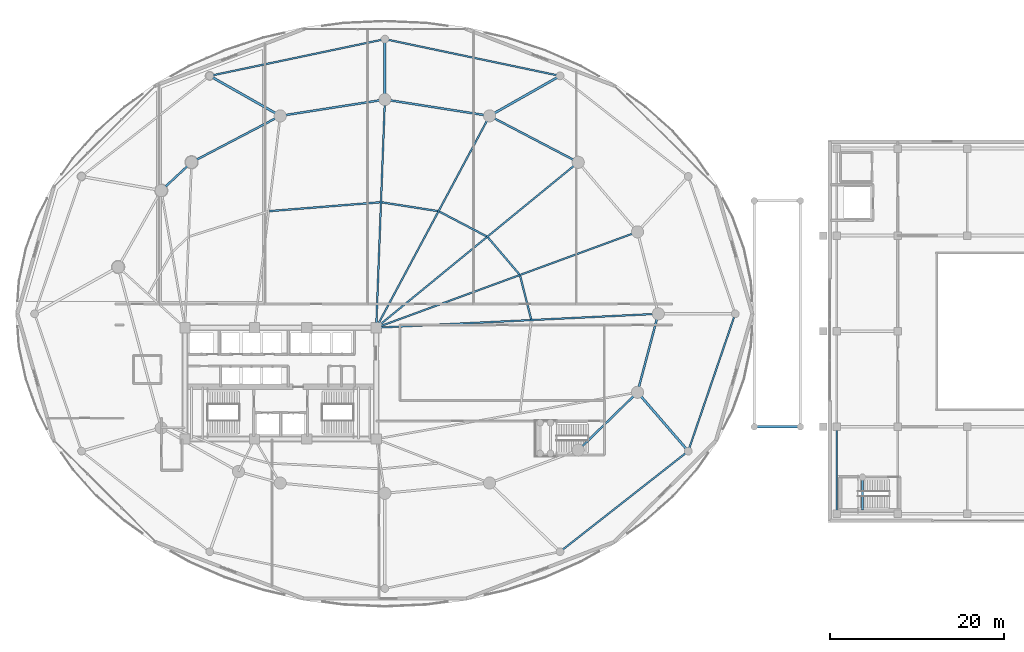
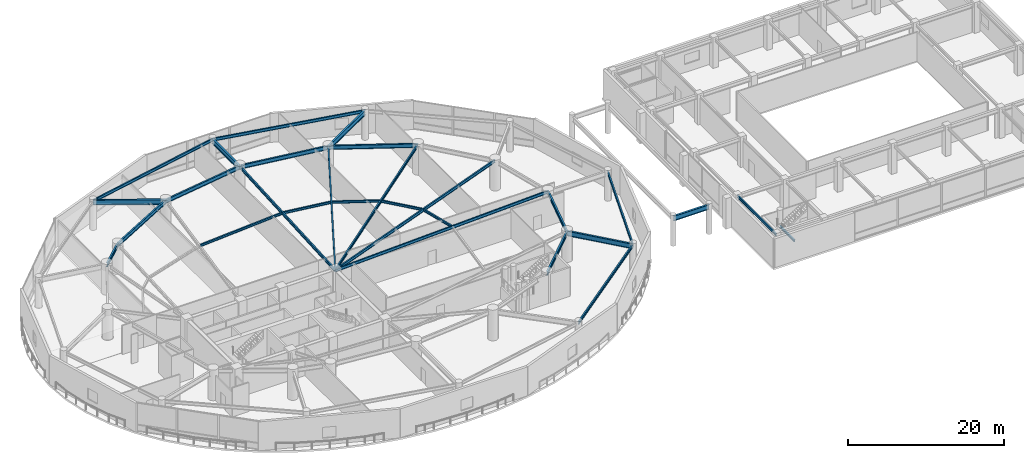
# One storey, part 10 of 40: 28 beams.
"""IFC4 building model written with IfcOpenShell, lengths in metres."""

from ifc_helpers import new_model, si_unit, direction, frame, origin, origin_2d, place, context, subcontext, project, spatial, i_section, extrude, material, material_profile, profile_set, type_object, element, save


model = new_model("IFC4")

# Units and contexts
model_context = context("Model", 3, precision=1e-05, world=origin(), true_north=direction((0.0, 1.0)))
body_context = subcontext(model_context, "Body", "Model", "MODEL_VIEW")
ifc_project = project(units=[si_unit("LENGTHUNIT", "METRE"), si_unit("AREAUNIT", "SQUARE_METRE"), si_unit("VOLUMEUNIT", "CUBIC_METRE"), si_unit("PLANEANGLEUNIT", "RADIAN"), si_unit("MASSUNIT", "GRAM", prefix="KILO")], contexts=[model_context])

# Site, building, storey
site_placement = place(None, origin())
site = spatial("IfcSite", under=ifc_project, at=site_placement, CompositionType="ELEMENT")
building_placement = place(site_placement, origin())
building = spatial("IfcBuilding", under=site, at=building_placement, Name="Kazevale Care Tower and Concert Hall", CompositionType="ELEMENT")
storey_placement = place(building_placement, frame((0.0, 0.0, 4.800048828125)))
storey = spatial("IfcBuildingStorey", under=building, at=storey_placement, Name="L01", CompositionType="ELEMENT", Elevation=4.800048828125)

# Beams
ifc_material = material(Name="Steel ASTM A572 Gr 50", Category="steel")
ifc_material_profile_1 = material_profile(ifc_material, i_section(OverallWidth=0.180908203125, OverallDepth=0.4169921875, WebThickness=0.010986328125, FlangeThickness=0.018310546875, at=origin_2d()), Name="W410x85")
ifc_profile_set_1 = profile_set([ifc_material_profile_1], Name="Steel ASTM A572 Gr 50")
beam_type_1 = type_object("IfcBeamType", Name="Concert Hall Secondary Beam W410x85", PredefinedType="BEAM", material=ifc_profile_set_1)
beam_1_placement = place(storey_placement, frame((97.0, 15.0, 4.3115234375), z_axis=(0.0, 1.0, 0.0), x_axis=(-1.0, 0.0, 0.0)))
element("IfcBeam", 1, at=beam_1_placement, inside=storey, type_object=beam_type_1, Name="beam:L01:hy:97_15", PredefinedType="BEAM", context=body_context, shape_type="SweptSolid", body=[
    extrude(i_section(OverallWidth=0.180908203125, OverallDepth=0.4169921875, WebThickness=0.010986328125, FlangeThickness=0.018310546875, at=origin_2d()), origin(), (0.0, 0.0, 1.0), 10.0),
])
ifc_material_profile_2 = material_profile(ifc_material, i_section(OverallWidth=0.194091796875, OverallDepth=0.468994140625, WebThickness=0.0126953125, FlangeThickness=0.0205078125, at=origin_2d()), Name="W460x106")
ifc_profile_set_2 = profile_set([ifc_material_profile_2], Name="Steel ASTM A572 Gr 50")
beam_type_2 = type_object("IfcBeamType", Name="Podium Floor Beam W460x106", PredefinedType="BEAM", material=ifc_profile_set_2)
for number, where, z_axis, x_axis, name in (
    (2, (65.14990234375, 65.3701171875, 4.285400390625), (-0.978668137727, 0.205447502293, 0.0), (-0.205447502293, -0.978668137727, 0.0), "beam:L01:podring:03"),
    (3, (45.0, 69.60009765625, 4.285400390625), (-0.978668137727, -0.205447502293, 0.0), (0.205447502293, -0.978668137727, 0.0), "beam:L01:podring:04"),
):
    element("IfcBeam", number, at=place(storey_placement, frame(where, z_axis=z_axis, x_axis=x_axis)), inside=storey, type_object=beam_type_2, Name=name, PredefinedType="BEAM", context=body_context, shape_type="SweptSolid", body=[
        extrude(i_section(OverallWidth=0.194091796875, OverallDepth=0.468994140625, WebThickness=0.0126953125, FlangeThickness=0.0205078125, at=origin_2d()), origin(), (0.0, 0.0, 1.0), 20.589111328125),
    ])
beam_2_placement = place(storey_placement, frame((65.14990234375, 10.6298828125, 4.285400390625), z_axis=(0.786816091325, 0.617187522907, 0.0), x_axis=(-0.617187522907, 0.786816091325, 0.0)))
element("IfcBeam", 4, at=beam_2_placement, inside=storey, type_object=beam_type_2, Name="beam:L01:podring:11", PredefinedType="BEAM", context=body_context, shape_type="SweptSolid", body=[
    extrude(i_section(OverallWidth=0.194091796875, OverallDepth=0.468994140625, WebThickness=0.0126953125, FlangeThickness=0.0205078125, at=origin_2d()), origin(), (0.0, 0.0, 1.0), 18.746337890625),
])
beam_3_placement = place(storey_placement, frame((79.89990234375, 22.199951171875, 4.285400390625), z_axis=(0.323412440773, 0.946258100707, 0.0), x_axis=(-0.946258100707, 0.323412440773, 0.0)))
element("IfcBeam", 5, at=beam_3_placement, inside=storey, type_object=beam_type_2, Name="beam:L01:podring:12", PredefinedType="BEAM", context=body_context, shape_type="SweptSolid", body=[
    extrude(i_section(OverallWidth=0.194091796875, OverallDepth=0.468994140625, WebThickness=0.0126953125, FlangeThickness=0.0205078125, at=origin_2d()), origin(), (0.0, 0.0, 1.0), 16.697509765625),
])
ifc_material_profile_3 = material_profile(ifc_material, i_section(OverallWidth=0.26806640625, OverallDepth=0.77001953125, WebThickness=0.015625, FlangeThickness=0.025390625, at=origin_2d()), Name="W760x196")
ifc_profile_set_3 = profile_set([ifc_material_profile_3], Name="Steel ASTM A572 Gr 50")
beam_type_3 = type_object("IfcBeamType", Name="Podium Primary Girder W760x196", PredefinedType="BEAM", material=ifc_profile_set_3)
beam_4_placement = place(storey_placement, frame((87.5, 25.0, 4.125), z_axis=(1.0, 0.0, 0.0), x_axis=(0.0, 1.0, 0.0)))
element("IfcBeam", 6, at=beam_4_placement, inside=storey, type_object=beam_type_3, Name="beam:L01:gbox:1", PredefinedType="BEAM", context=body_context, shape_type="SweptSolid", body=[
    extrude(i_section(OverallWidth=0.26806640625, OverallDepth=0.77001953125, WebThickness=0.015625, FlangeThickness=0.025390625, at=origin_2d()), origin(), (0.0, 0.0, 1.0), 5.300048828125),
])
beam_5_placement = place(storey_placement, frame((57.0400390625, 60.77001953125, 4.135009765625), z_axis=(0.869814698665, 0.493378546338, 0.0), x_axis=(-0.493378546338, 0.869814698665, 0.0)))
element("IfcBeam", 7, at=beam_5_placement, inside=storey, type_object=beam_type_3, Name="beam:L01:podrad:03", PredefinedType="BEAM", context=body_context, shape_type="SweptSolid", body=[
    extrude(i_section(OverallWidth=0.26806640625, OverallDepth=0.77001953125, WebThickness=0.015625, FlangeThickness=0.025390625, at=origin_2d()), origin(), (0.0, 0.0, 1.0), 9.32373046875),
])
beam_6_placement = place(storey_placement, frame((45.0, 62.64990234375, 4.135009765625), z_axis=(0.0, 1.0, 0.0), x_axis=(-1.0, 0.0, 0.0)))
element("IfcBeam", 8, at=beam_6_placement, inside=storey, type_object=beam_type_3, Name="beam:L01:podrad:04", PredefinedType="BEAM", context=body_context, shape_type="SweptSolid", body=[
    extrude(i_section(OverallWidth=0.26806640625, OverallDepth=0.77001953125, WebThickness=0.015625, FlangeThickness=0.025390625, at=origin_2d()), origin(), (0.0, 0.0, 1.0), 6.9501953125),
])
beam_7_placement = place(storey_placement, frame((32.9599609375, 60.77001953125, 4.135009765625), z_axis=(-0.869814698665, 0.493378546338, 0.0), x_axis=(-0.493378546338, -0.869814698665, 0.0)))
element("IfcBeam", 9, at=beam_7_placement, inside=storey, type_object=beam_type_3, Name="beam:L01:podrad:05", PredefinedType="BEAM", context=body_context, shape_type="SweptSolid", body=[
    extrude(i_section(OverallWidth=0.26806640625, OverallDepth=0.77001953125, WebThickness=0.015625, FlangeThickness=0.025390625, at=origin_2d()), origin(), (0.0, 0.0, 1.0), 9.32373046875),
])
beam_8_placement = place(storey_placement, frame((74.06005859375, 28.969970703125, 4.135009765625), z_axis=(0.653171864392, -0.757209690618, 0.0), x_axis=(0.757209690618, 0.653171864392, 0.0)))
element("IfcBeam", 10, at=beam_8_placement, inside=storey, type_object=beam_type_3, Name="beam:L01:podrad:12", PredefinedType="BEAM", context=body_context, shape_type="SweptSolid", body=[
    extrude(i_section(OverallWidth=0.26806640625, OverallDepth=0.77001953125, WebThickness=0.015625, FlangeThickness=0.025390625, at=origin_2d()), origin(), (0.0, 0.0, 1.0), 8.940673828125),
])
ifc_material_profile_4 = material_profile(ifc_material, i_section(OverallWidth=0.19091796875, OverallDepth=0.4599609375, WebThickness=0.010009765625, FlangeThickness=0.01611328125, at=origin_2d()), Name="W460x82")
ifc_profile_set_4 = profile_set([ifc_material_profile_4], Name="Steel ASTM A572 Gr 50")
beam_type_4 = type_object("IfcBeamType", Name="Radial Floor Beam W460x82", PredefinedType="BEAM", material=ifc_profile_set_4)
beam_9_placement = place(storey_placement, frame((44.0, 36.39990234375, 4.2900390625), z_axis=(0.998786488782, 0.049249871327, 0.0), x_axis=(-0.049249871327, 0.998786488782, 0.0)))
element("IfcBeam", 11, at=beam_9_placement, inside=storey, type_object=beam_type_4, Name="beam:L01:rad:01", PredefinedType="BEAM", context=body_context, shape_type="SweptSolid", body=[
    extrude(i_section(OverallWidth=0.19091796875, OverallDepth=0.4599609375, WebThickness=0.010009765625, FlangeThickness=0.01611328125, at=origin_2d()), origin(), (0.0, 0.0, 1.0), 32.4892578125),
])
beam_10_placement = place(storey_placement, frame((44.0, 36.39990234375, 4.2900390625), z_axis=(0.938795458019, 0.34447509054, 0.0), x_axis=(-0.34447509054, 0.938795458019, 0.0)))
element("IfcBeam", 12, at=beam_10_placement, inside=storey, type_object=beam_type_4, Name="beam:L01:rad:02", PredefinedType="BEAM", context=body_context, shape_type="SweptSolid", body=[
    extrude(i_section(OverallWidth=0.19091796875, OverallDepth=0.4599609375, WebThickness=0.010009765625, FlangeThickness=0.01611328125, at=origin_2d()), origin(), (0.0, 0.0, 1.0), 32.019775390625),
])
beam_11_placement = place(storey_placement, frame((44.0, 36.39990234375, 4.2900390625), z_axis=(0.773704467398, 0.633546681097, 0.0), x_axis=(-0.633546681097, 0.773704467398, 0.0)))
element("IfcBeam", 13, at=beam_11_placement, inside=storey, type_object=beam_type_4, Name="beam:L01:rad:03", PredefinedType="BEAM", context=body_context, shape_type="SweptSolid", body=[
    extrude(i_section(OverallWidth=0.19091796875, OverallDepth=0.4599609375, WebThickness=0.010009765625, FlangeThickness=0.01611328125, at=origin_2d()), origin(), (0.0, 0.0, 1.0), 30.037353515625),
])
beam_12_placement = place(storey_placement, frame((44.0, 36.39990234375, 4.2900390625), z_axis=(0.471788966953, 0.88171150081, 0.0), x_axis=(-0.88171150081, 0.471788966953, 0.0)))
element("IfcBeam", 14, at=beam_12_placement, inside=storey, type_object=beam_type_4, Name="beam:L01:rad:04", PredefinedType="BEAM", context=body_context, shape_type="SweptSolid", body=[
    extrude(i_section(OverallWidth=0.19091796875, OverallDepth=0.4599609375, WebThickness=0.010009765625, FlangeThickness=0.01611328125, at=origin_2d()), origin(), (0.0, 0.0, 1.0), 27.6396484375),
])
beam_13_placement = place(storey_placement, frame((44.0, 36.39990234375, 4.2900390625), z_axis=(0.038067625343, 0.999275165258, 0.0), x_axis=(-0.999275165258, 0.038067625343, 0.0)))
element("IfcBeam", 15, at=beam_13_placement, inside=storey, type_object=beam_type_4, Name="beam:L01:rad:05", PredefinedType="BEAM", context=body_context, shape_type="SweptSolid", body=[
    extrude(i_section(OverallWidth=0.19091796875, OverallDepth=0.4599609375, WebThickness=0.010009765625, FlangeThickness=0.01611328125, at=origin_2d()), origin(), (0.0, 0.0, 1.0), 26.26904296875),
])
ifc_material_profile_5 = material_profile(ifc_material, i_section(OverallWidth=0.22900390625, OverallDepth=0.612060546875, WebThickness=0.011962890625, FlangeThickness=0.01953125, at=origin_2d()), Name="W610x125")
ifc_profile_set_5 = profile_set([ifc_material_profile_5], Name="Steel ASTM A572 Gr 50")
beam_type_5 = type_object("IfcBeamType", Name="Ring Spandrel Beam W610x125", PredefinedType="SPANDREL", material=ifc_profile_set_5)
beam_14_placement = place(storey_placement, frame((67.239990234375, 55.429931640625, 4.2138671875), z_axis=(-0.885929466679, 0.463819986708, 0.0), x_axis=(-0.463819986708, -0.885929466679, 0.0)))
element("IfcBeam", 16, at=beam_14_placement, inside=storey, type_object=beam_type_5, Name="beam:L01:ring:03", PredefinedType="SPANDREL", context=body_context, shape_type="SweptSolid", body=[
    extrude(i_section(OverallWidth=0.22900390625, OverallDepth=0.612060546875, WebThickness=0.011962890625, FlangeThickness=0.01953125, at=origin_2d()), origin(), (0.0, 0.0, 1.0), 11.51318359375),
])
for number, where, z_axis, x_axis, name in (
    (17, (57.0400390625, 60.77001953125, 4.2138671875), (-0.988029216561, 0.154266870134, 0.0), (-0.154266870134, -0.988029216561, 0.0), "beam:L01:ring:04"),
    (18, (45.0, 62.64990234375, 4.2138671875), (-0.988029216561, -0.154266870134, 0.0), (0.154266870134, -0.988029216561, 0.0), "beam:L01:ring:05"),
):
    element("IfcBeam", number, at=place(storey_placement, frame(where, z_axis=z_axis, x_axis=x_axis)), inside=storey, type_object=beam_type_5, Name=name, PredefinedType="SPANDREL", context=body_context, shape_type="SweptSolid", body=[
        extrude(i_section(OverallWidth=0.22900390625, OverallDepth=0.612060546875, WebThickness=0.011962890625, FlangeThickness=0.01953125, at=origin_2d()), origin(), (0.0, 0.0, 1.0), 12.18603515625),
    ])
beam_15_placement = place(storey_placement, frame((32.9599609375, 60.77001953125, 4.2138671875), z_axis=(-0.885929466679, -0.463819986708, 0.0), x_axis=(0.463819986708, -0.885929466679, 0.0)))
element("IfcBeam", 19, at=beam_15_placement, inside=storey, type_object=beam_type_5, Name="beam:L01:ring:06", PredefinedType="SPANDREL", context=body_context, shape_type="SweptSolid", body=[
    extrude(i_section(OverallWidth=0.22900390625, OverallDepth=0.612060546875, WebThickness=0.011962890625, FlangeThickness=0.01953125, at=origin_2d()), origin(), (0.0, 0.0, 1.0), 11.51318359375),
])
beam_16_placement = place(storey_placement, frame((22.760009765625, 55.429931640625, 4.2138671875), z_axis=(-0.731820896228, -0.681497010884, 0.0), x_axis=(0.681497010884, -0.731820896228, 0.0)))
element("IfcBeam", 20, at=beam_16_placement, inside=storey, type_object=beam_type_5, Name="beam:L01:ring:07", PredefinedType="SPANDREL", context=body_context, shape_type="SweptSolid", body=[
    extrude(i_section(OverallWidth=0.22900390625, OverallDepth=0.612060546875, WebThickness=0.011962890625, FlangeThickness=0.01953125, at=origin_2d()), origin(), (0.0, 0.0, 1.0), 4.768798828125),
])
beam_17_placement = place(storey_placement, frame((67.239990234375, 22.31005859375, 4.2138671875), z_axis=(0.715457453508, 0.698656304788, 0.0), x_axis=(-0.698656304788, 0.715457453508, 0.0)))
element("IfcBeam", 21, at=beam_17_placement, inside=storey, type_object=beam_type_5, Name="beam:L01:ring:15", PredefinedType="SPANDREL", context=body_context, shape_type="SweptSolid", body=[
    extrude(i_section(OverallWidth=0.22900390625, OverallDepth=0.612060546875, WebThickness=0.011962890625, FlangeThickness=0.01953125, at=origin_2d()), origin(), (0.0, 0.0, 1.0), 9.532470703125),
])
beam_18_placement = place(storey_placement, frame((74.06005859375, 28.969970703125, 4.2138671875), z_axis=(0.255851611973, 0.966716066201, 0.0), x_axis=(-0.966716066201, 0.255851611973, 0.0)))
element("IfcBeam", 22, at=beam_18_placement, inside=storey, type_object=beam_type_5, Name="beam:L01:ring:16", PredefinedType="SPANDREL", context=body_context, shape_type="SweptSolid", body=[
    extrude(i_section(OverallWidth=0.22900390625, OverallDepth=0.612060546875, WebThickness=0.011962890625, FlangeThickness=0.01953125, at=origin_2d()), origin(), (0.0, 0.0, 1.0), 9.3408203125),
])
ifc_material_profile_6 = material_profile(ifc_material, i_section(OverallWidth=0.205078125, OverallDepth=0.35400390625, WebThickness=0.009521484375, FlangeThickness=0.016845703125, at=origin_2d()), Name="W360x79")
ifc_profile_set_6 = profile_set([ifc_material_profile_6], Name="Steel ASTM A572 Gr 50")
beam_type_6 = type_object("IfcBeamType", Name="Secondary Floor Joist W360x79", PredefinedType="JOIST", material=ifc_profile_set_6)
beam_19_placement = place(storey_placement, frame((61.822021484375, 37.382080078125, 4.343017578125), z_axis=(-0.24568570229, 0.969349542575, 0.0), x_axis=(-0.969349542575, -0.24568570229, 0.0)))
element("IfcBeam", 23, at=beam_19_placement, inside=storey, type_object=beam_type_6, Name="beam:L01:joist:01", PredefinedType="JOIST", context=body_context, shape_type="SweptSolid", body=[
    extrude(i_section(OverallWidth=0.205078125, OverallDepth=0.35400390625, WebThickness=0.009521484375, FlangeThickness=0.016845703125, at=origin_2d()), origin(), (0.0, 0.0, 1.0), 5.140380859375),
])
beam_20_placement = place(storey_placement, frame((60.465087890625, 42.5458984375, 4.343017578125), z_axis=(-0.648685510477, 0.761056573783, 0.0), x_axis=(-0.761056573783, -0.648685510477, 0.0)))
element("IfcBeam", 24, at=beam_20_placement, inside=storey, type_object=beam_type_6, Name="beam:L01:joist:02", PredefinedType="JOIST", context=body_context, shape_type="SweptSolid", body=[
    extrude(i_section(OverallWidth=0.205078125, OverallDepth=0.35400390625, WebThickness=0.009521484375, FlangeThickness=0.016845703125, at=origin_2d()), origin(), (0.0, 0.0, 1.0), 5.57275390625),
])
beam_21_placement = place(storey_placement, frame((56.68896484375, 46.9150390625, 4.343017578125), z_axis=(-0.885921274797, 0.463835633454, 0.0), x_axis=(-0.463835633454, -0.885921274797, 0.0)))
element("IfcBeam", 25, at=beam_21_placement, inside=storey, type_object=beam_type_6, Name="beam:L01:joist:03", PredefinedType="JOIST", context=body_context, shape_type="SweptSolid", body=[
    extrude(i_section(OverallWidth=0.205078125, OverallDepth=0.35400390625, WebThickness=0.009521484375, FlangeThickness=0.016845703125, at=origin_2d()), origin(), (0.0, 0.0, 1.0), 6.12255859375),
])
beam_22_placement = place(storey_placement, frame((51.068115234375, 49.820068359375, 4.343017578125), z_axis=(-0.988040697826, 0.154193318403, 0.0), x_axis=(-0.154193318403, -0.988040697826, 0.0)))
element("IfcBeam", 26, at=beam_22_placement, inside=storey, type_object=beam_type_6, Name="beam:L01:joist:04", PredefinedType="JOIST", context=body_context, shape_type="SweptSolid", body=[
    extrude(i_section(OverallWidth=0.205078125, OverallDepth=0.35400390625, WebThickness=0.009521484375, FlangeThickness=0.016845703125, at=origin_2d()), origin(), (0.0, 0.0, 1.0), 6.49169921875),
])
beam_23_placement = place(storey_placement, frame((44.445068359375, 50.8291015625, 4.343017578125), z_axis=(-0.996814548036, -0.079754353015, 0.0), x_axis=(0.079754353015, -0.996814548036, 0.0)))
element("IfcBeam", 27, at=beam_23_placement, inside=storey, type_object=beam_type_6, Name="beam:L01:joist:05", PredefinedType="JOIST", context=body_context, shape_type="SweptSolid", body=[
    extrude(i_section(OverallWidth=0.205078125, OverallDepth=0.35400390625, WebThickness=0.009521484375, FlangeThickness=0.016845703125, at=origin_2d()), origin(), (0.0, 0.0, 1.0), 12.752685546875),
])
ifc_material_profile_7 = material_profile(ifc_material, i_section(OverallWidth=0.202880859375, OverallDepth=0.302978515625, WebThickness=0.007568359375, FlangeThickness=0.01318359375, at=origin_2d()), Name="W310x60")
ifc_profile_set_7 = profile_set([ifc_material_profile_7], Name="Steel ASTM A572 Gr 50")
beam_type_7 = type_object("IfcBeamType", Name="Stair & Balcony Trimmer W310x60", PredefinedType="BEAM", material=ifc_profile_set_7)
beam_24_placement = place(storey_placement, frame((99.949951171875, 15.39990234375, 2.04833984375), z_axis=(0.0, 1.0, 0.0), x_axis=(-1.0, 0.0, 0.0)))
element("IfcBeam", 28, at=beam_24_placement, inside=storey, type_object=beam_type_7, Name="beam:L01:ST4:trim:1", PredefinedType="BEAM", context=body_context, shape_type="SweptSolid", body=[
    extrude(i_section(OverallWidth=0.202880859375, OverallDepth=0.302978515625, WebThickness=0.007568359375, FlangeThickness=0.01318359375, at=origin_2d()), origin(), (0.0, 0.0, 1.0), 3.800048828125),
])

save(model, "model.ifc")
